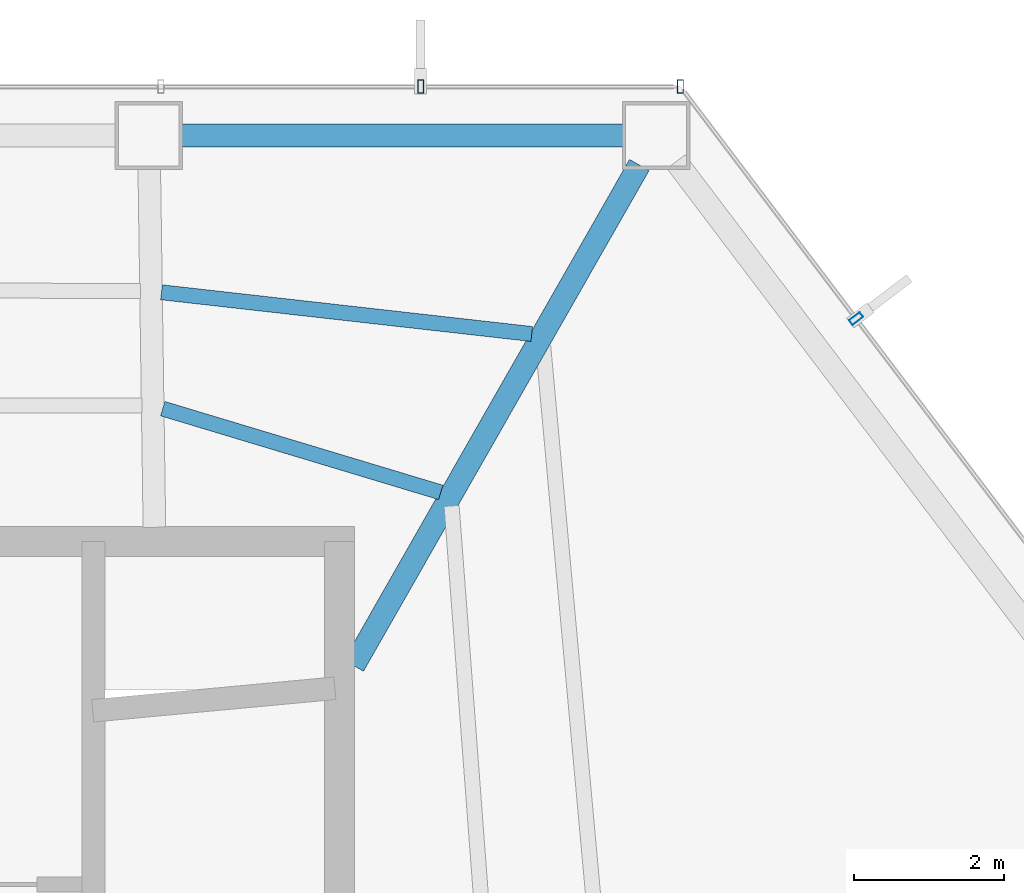
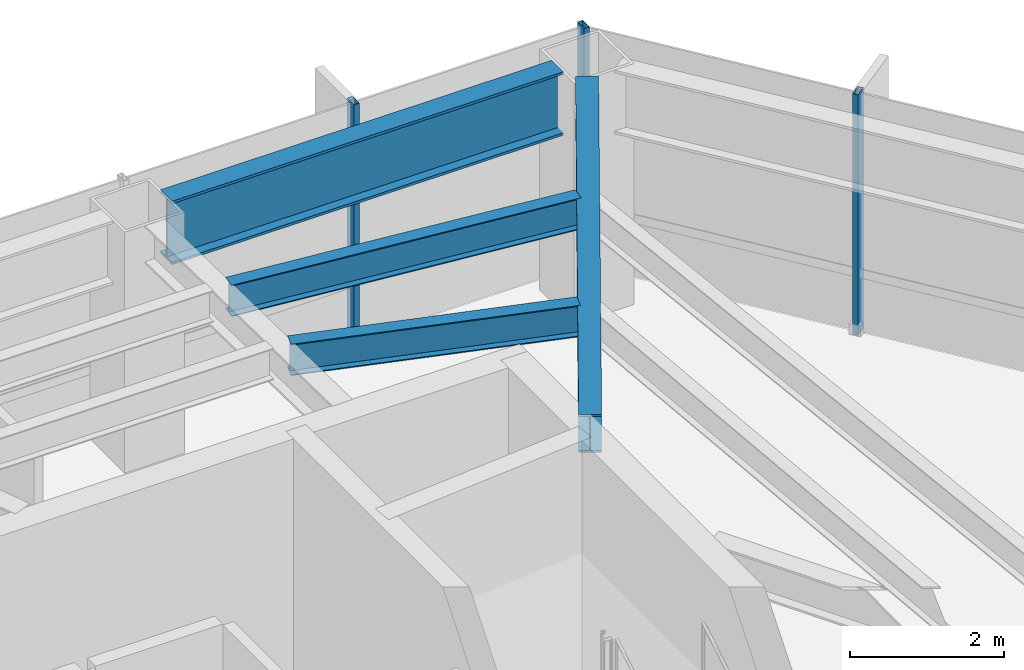
# One storey, part 18 of 24: 4 beams, 3 members, 2 elements without a shape of their own.
"""IFC4 building model written with IfcOpenShell, lengths in metres."""

from ifc_helpers import new_model, si_unit, direction, frame, origin, origin_2d, place, context, subcontext, project, spatial, hollow_rectangle, i_section, extrude, material, layer, layer_set, material_profile, profile_set, type_object, element, aggregate, save


model = new_model("IFC4")

# Units and contexts
model_context = context("Model", 3, precision=1e-05, world=origin(), true_north=direction((0.0, 1.0)))
body_context = subcontext(model_context, "Body", "Model", "MODEL_VIEW")
ifc_project = project(units=[si_unit("LENGTHUNIT", "METRE"), si_unit("AREAUNIT", "SQUARE_METRE"), si_unit("VOLUMEUNIT", "CUBIC_METRE"), si_unit("PLANEANGLEUNIT", "RADIAN"), si_unit("MASSUNIT", "GRAM", prefix="KILO")], contexts=[model_context])

# Site, building, storey
site_placement = place(None, origin())
site = spatial("IfcSite", under=ifc_project, at=site_placement, CompositionType="ELEMENT")
building_placement = place(site_placement, origin())
building = spatial("IfcBuilding", under=site, at=building_placement, Name="Zarrinselat Tower", CompositionType="ELEMENT")
storey_placement = place(building_placement, frame((0.0, 0.0, 96.89990234375)))
storey = spatial("IfcBuildingStorey", under=building, at=storey_placement, Name="L23", CompositionType="ELEMENT", Elevation=96.89990234375)

# Beams
ifc_material_1 = material(Name="Steel S355J2", Category="steel")
ifc_material_profile_1 = material_profile(ifc_material_1, i_section(OverallWidth=0.300048828125, OverallDepth=0.60009765625, WebThickness=0.015380859375, FlangeThickness=0.030029296875, at=origin_2d()), Name="HEB 600")
ifc_profile_set_1 = profile_set([ifc_material_profile_1], Name="Steel S355J2")
beam_type_1 = type_object("IfcBeamType", Name="BM-HEB600", PredefinedType="BEAM", material=ifc_profile_set_1)
beam_1_placement = place(storey_placement, frame((48.449951171875, 41.800048828125, 3.52001953125), z_axis=(0.495483591923, 0.868617297856, 0.0), x_axis=(-0.868617297856, 0.495483591923, 0.0)))
element("IfcBeam", 1, at=beam_1_placement, inside=storey, type_object=beam_type_1, Name="L23 Radial Primary Girder RG01", PredefinedType="BEAM", context=body_context, shape_type="SweptSolid", body=[
    extrude(i_section(OverallWidth=0.300048828125, OverallDepth=0.60009765625, WebThickness=0.015380859375, FlangeThickness=0.030029296875, at=origin_2d()), origin(), (0.0, 0.0, 1.0), 7.66455078125),
])
ifc_material_2 = material(Name="Steel S460M", Category="steel")
ifc_material_profile_2 = material_profile(ifc_material_2, i_section(OverallWidth=0.302001953125, OverallDepth=1.008056640625, WebThickness=0.02099609375, FlangeThickness=0.0400390625, at=origin_2d()), Name="HEM 1000")
ifc_profile_set_2 = profile_set([ifc_material_profile_2], Name="Steel S460M")
beam_type_2 = type_object("IfcBeamType", Name="BM-HEM1000", PredefinedType="BEAM", material=ifc_profile_set_2)
beam_2_placement = place(storey_placement, frame((46.163330078125, 48.85009765625, 3.316162109375), z_axis=(1.0, 0.0, 0.0), x_axis=(0.0, 1.0, 0.0)))
element("IfcBeam", 2, at=beam_2_placement, inside=storey, type_object=beam_type_2, Name="L23 Perimeter Spandrel Girder SP01", PredefinedType="BEAM", context=body_context, shape_type="SweptSolid", body=[
    extrude(i_section(OverallWidth=0.302001953125, OverallDepth=1.008056640625, WebThickness=0.02099609375, FlangeThickness=0.0400390625, at=origin_2d()), origin(), (0.0, 0.0, 1.0), 5.8701171875),
])
ifc_material_3 = material(Name="Steel S355J2", Category="steel")
ifc_material_profile_3 = material_profile(ifc_material_3, i_section(OverallWidth=0.199951171875, OverallDepth=0.5, WebThickness=0.01025390625, FlangeThickness=0.01611328125, at=origin_2d()), Name="IPE 500")
ifc_profile_set_3 = profile_set([ifc_material_profile_3], Name="Steel S355J2")
beam_type_3 = type_object("IfcBeamType", Name="BM-IPE500", PredefinedType="JOIST", material=ifc_profile_set_3)
beam_3_placement = place(storey_placement, frame((45.89404296875, 46.7646484375, 3.570068359375), z_axis=(0.993706999259, -0.112010712091, 0.0), x_axis=(0.112010712091, 0.993706999259, 0.0)))
element("IfcBeam", 3, at=beam_3_placement, inside=storey, type_object=beam_type_3, Name="L23 Composite Floor Joist 6-1", PredefinedType="JOIST", context=body_context, shape_type="SweptSolid", body=[
    extrude(i_section(OverallWidth=0.199951171875, OverallDepth=0.5, WebThickness=0.01025390625, FlangeThickness=0.01611328125, at=origin_2d()), origin(), (0.0, 0.0, 1.0), 4.954345703125),
])
beam_4_placement = place(storey_placement, frame((45.910888671875, 45.21728515625, 3.570068359375), z_axis=(0.957512397505, -0.288392109156, 0.0), x_axis=(0.288392109156, 0.957512397505, 0.0)))
element("IfcBeam", 4, at=beam_4_placement, inside=storey, type_object=beam_type_3, Name="L23 Composite Floor Joist 6-2", PredefinedType="JOIST", context=body_context, shape_type="SweptSolid", body=[
    extrude(i_section(OverallWidth=0.199951171875, OverallDepth=0.5, WebThickness=0.01025390625, FlangeThickness=0.01611328125, at=origin_2d()), origin(), (0.0, 0.0, 1.0), 3.8603515625),
])

# Curtain wall, members
ifc_material_4 = material(Name="Extruded Aluminium Alloy EN AW-6063 T6", Category="aluminium")
ifc_layer = layer(ifc_material_4, 0.18505859375)
ifc_layer_set = layer_set([ifc_layer], Name="Extruded Aluminium Alloy EN AW-6063 T6")
curtain_wall_type = type_object("IfcCurtainWallType", Name="CWS-OFF", PredefinedType="NOTDEFINED", material=ifc_layer_set)
curtain_wall_1_placement = place(storey_placement, origin())
curtain_wall_1 = element("IfcCurtainWall", 5, at=curtain_wall_1_placement, inside=storey, type_object=curtain_wall_type, Name="L23 Unitised Curtain Wall CW-L23-E01", PredefinedType="NOTDEFINED")
ifc_material_5 = material(Name="Extruded Aluminium Alloy EN AW-6063 T6", Category="aluminium")
ifc_material_profile_4 = material_profile(ifc_material_5, hollow_rectangle(XDim=0.080078125, YDim=0.179931640625, WallThickness=0.0048828125, at=origin_2d()), Name="RHS 180x80x5")
ifc_profile_set_4 = profile_set([ifc_material_profile_4], Name="Extruded Aluminium Alloy EN AW-6063 T6")
member_type = type_object("IfcMemberType", Name="MEM-CW-MUL", PredefinedType="MULLION", material=ifc_profile_set_4)
member_1_placement = place(storey_placement, frame((52.79443359375, 49.5, 0.0), z_axis=(0.0, 0.0, 1.0), x_axis=(-1.0, 0.0, 0.0)))
member_1 = element("IfcMember", 6, at=member_1_placement, type_object=member_type, Name="CW-L23-E01 Mullion 0", PredefinedType="MULLION", context=body_context, shape_type="SweptSolid", body=[
    extrude(hollow_rectangle(XDim=0.080078125, YDim=0.179931640625, WallThickness=0.0048828125, at=origin_2d()), origin(), (0.0, 0.0, 1.0), 3.820068359375),
])
member_2_placement = place(storey_placement, frame((49.340576171875, 49.5, 0.0), z_axis=(0.0, 0.0, 1.0), x_axis=(-1.0, 0.0, 0.0)))
member_2 = element("IfcMember", 7, at=member_2_placement, type_object=member_type, Name="CW-L23-E01 Mullion 1", PredefinedType="MULLION", context=body_context, shape_type="SweptSolid", body=[
    extrude(hollow_rectangle(XDim=0.080078125, YDim=0.179931640625, WallThickness=0.0048828125, at=origin_2d()), origin(), (0.0, 0.0, 1.0), 3.820068359375),
])
aggregate(curtain_wall_1, [member_1, member_2])

# Curtain wall, member
curtain_wall_2_placement = place(storey_placement, origin())
curtain_wall_2 = element("IfcCurtainWall", 8, at=curtain_wall_2_placement, inside=storey, type_object=curtain_wall_type, Name="L23 Unitised Curtain Wall CW-L23-E06", PredefinedType="NOTDEFINED")
member_3_placement = place(storey_placement, frame((55.131591796875, 46.4150390625, 0.0), z_axis=(0.0, 0.0, 1.0), x_axis=(-0.6038584342, 0.797091582847, 0.0)))
member_3 = element("IfcMember", 9, at=member_3_placement, type_object=member_type, Name="CW-L23-E06 Mullion 3", PredefinedType="MULLION", context=body_context, shape_type="SweptSolid", body=[
    extrude(hollow_rectangle(XDim=0.080078125, YDim=0.179931640625, WallThickness=0.0048828125, at=origin_2d()), origin(), (0.0, 0.0, 1.0), 3.820068359375),
])
aggregate(curtain_wall_2, [member_3])

save(model, "model.ifc")
